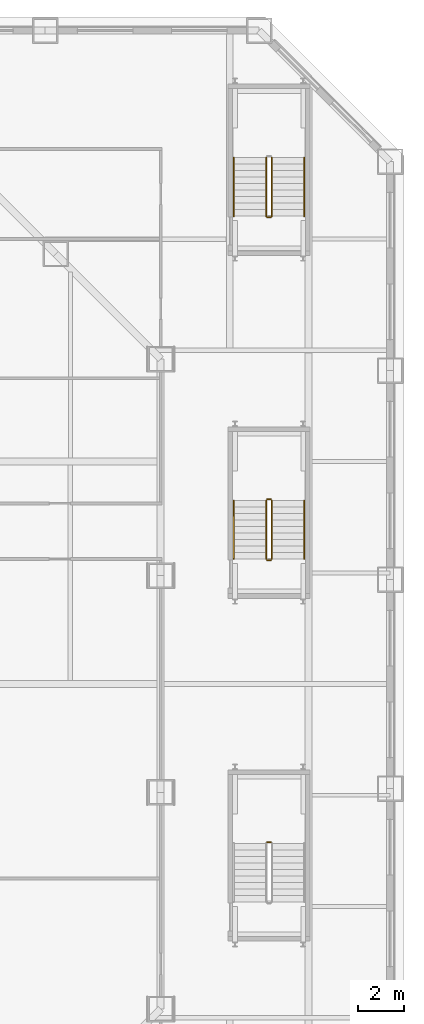
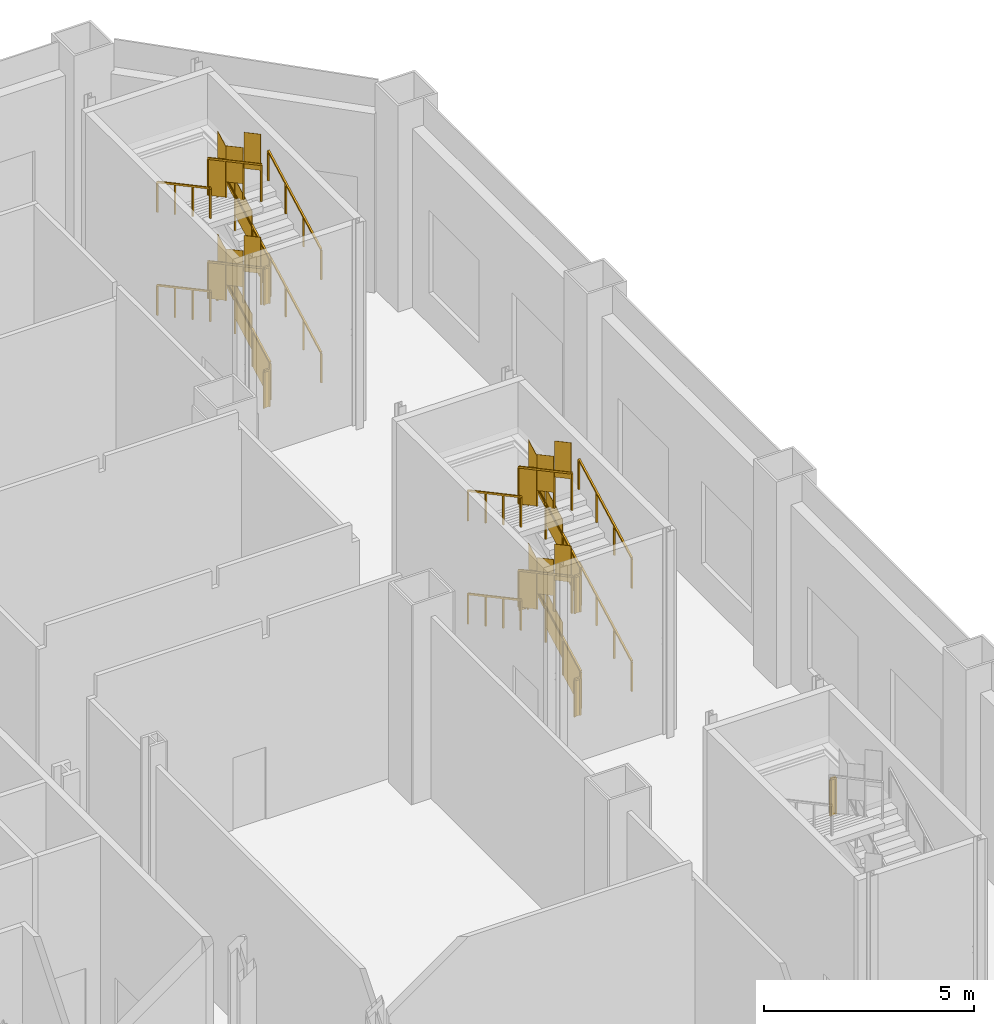
# One storey, part 30 of 31: 23 railings.
"""IFC4 building model written with IfcOpenShell, lengths in metres."""

from ifc_helpers import new_model, si_unit, direction, frame, origin, origin_2d, place, context, subcontext, project, spatial, polyline, rectangle, outline, extrude, material, type_object, element, save


model = new_model("IFC4")

# Units and contexts
model_context = context("Model", 3, precision=1e-05, world=origin(), true_north=direction((0.0, 1.0)))
body_context = subcontext(model_context, "Body", "Model", "MODEL_VIEW")
ifc_project = project(units=[si_unit("LENGTHUNIT", "METRE"), si_unit("AREAUNIT", "SQUARE_METRE"), si_unit("VOLUMEUNIT", "CUBIC_METRE"), si_unit("PLANEANGLEUNIT", "RADIAN"), si_unit("MASSUNIT", "GRAM", prefix="KILO")], contexts=[model_context])

# Site, building, storey
site_placement = place(None, origin())
site = spatial("IfcSite", under=ifc_project, at=site_placement, CompositionType="ELEMENT")
building_placement = place(site_placement, origin())
building = spatial("IfcBuilding", under=site, at=building_placement, Name="Cairn Pilgrim Tower", CompositionType="ELEMENT")
storey_placement = place(building_placement, frame((0.0, 0.0, 9.0)))
storey = spatial("IfcBuildingStorey", under=building, at=storey_placement, Name="L01", CompositionType="ELEMENT", Elevation=9.0)

# Railings
ifc_material = material(Name="Painted steel", Category="steel")
railing_type_1 = type_object("IfcRailingType", Name="PODIUM STAIR GUARD 1100", PredefinedType="GUARDRAIL", material=ifc_material)
railing_1_placement = place(storey_placement, frame((32.64990234375, -6.830078125, 4.5)))
element("IfcRailing", 1, at=railing_1_placement, inside=storey, type_object=railing_type_1, Name="L01 ST-ES2 stair guard 6", PredefinedType="GUARDRAIL", context=body_context, shape_type="SweptSolid", body=[
    extrude(rectangle(XDim=0.048095703125, YDim=0.048095703125, at=origin_2d()), frame((0.0, 0.0, 1.076171875), z_axis=(-1.0, 0.0, 0.0), x_axis=(0.0, -1.0, 0.0)), (0.0, 0.0, 1.0), 0.14990234375),
    extrude(rectangle(XDim=0.0419921875, YDim=0.0419921875, at=origin_2d()), origin(), (0.0, 0.0, 1.0), 1.052001953125),
    extrude(rectangle(XDim=0.0419921875, YDim=0.0419921875, at=origin_2d()), frame((-0.14990234375, 0.0, 0.0)), (0.0, 0.0, 1.0), 1.052001953125),
    extrude(outline(polyline([(0.02099609375, 0.0), (0.12890625, 0.0), (0.12890625, 1.052001953125), (0.02099609375, 1.052001953125), (0.02099609375, 0.0)])), frame((0.0, -0.005859375, 0.0), z_axis=(0.0, 1.0, 0.0), x_axis=(-1.0, 0.0, 0.0)), (0.0, 0.0, 1.0), 0.011962890625),
])
railing_2_placement = place(storey_placement, frame((32.699951171875, 5.39990234375, 0.14990234375)))
element("IfcRailing", 2, at=railing_2_placement, inside=storey, type_object=railing_type_1, Name="L01 ST-ES3 stair guard 1", PredefinedType="GUARDRAIL", context=body_context, shape_type="SweptSolid", body=[
    extrude(rectangle(XDim=0.048095703125, YDim=0.048095703125, at=origin_2d()), frame((0.0, 0.0, 1.076171875), z_axis=(0.0, 0.881467274426, 0.472245110209), x_axis=(-1.0, 0.0, 0.0)), (0.0, 0.0, 1.0), 2.85888671875),
    extrude(rectangle(XDim=0.0419921875, YDim=0.0419921875, at=origin_2d()), origin(), (0.0, 0.0, 1.0), 1.052001953125),
    extrude(rectangle(XDim=0.0419921875, YDim=0.0419921875, at=origin_2d()), frame((0.0, 0.840087890625, 0.449951171875)), (0.0, 0.0, 1.0), 1.052001953125),
    extrude(rectangle(XDim=0.0419921875, YDim=0.0419921875, at=origin_2d()), frame((0.0, 1.679931640625, 0.900146484375)), (0.0, 0.0, 1.0), 1.052001953125),
    extrude(rectangle(XDim=0.0419921875, YDim=0.0419921875, at=origin_2d()), frame((0.0, 2.52001953125, 1.35009765625)), (0.0, 0.0, 1.0), 1.052001953125),
    extrude(outline(polyline([(0.02099609375, 0.01123046875), (0.819091796875, 0.438720703125), (0.819091796875, 1.49072265625), (0.02099609375, 1.063232421875), (0.02099609375, 0.01123046875)])), frame((-0.005859375, 0.0, 0.0), z_axis=(1.0, 0.0, 0.0), x_axis=(0.0, 1.0, 0.0)), (0.0, 0.0, 1.0), 0.011962890625),
    extrude(outline(polyline([(0.02099609375, 0.461181640625), (0.819091796875, 0.888916015625), (0.819091796875, 1.94091796875), (0.02099609375, 1.51318359375), (0.02099609375, 0.461181640625)])), frame((-0.005859375, 0.840087890625, 0.449951171875), z_axis=(1.0, 0.0, 0.0), x_axis=(0.0, 1.0, 0.0)), (0.0, 0.0, 1.0), 0.011962890625),
    extrude(outline(polyline([(0.02099609375, 0.911376953125), (0.819091796875, 1.3388671875), (0.819091796875, 2.390869140625), (0.02099609375, 1.96337890625), (0.02099609375, 0.911376953125)])), frame((-0.005859375, 1.679931640625, 0.900146484375), z_axis=(1.0, 0.0, 0.0), x_axis=(0.0, 1.0, 0.0)), (0.0, 0.0, 1.0), 0.011962890625),
])
railing_3_placement = place(storey_placement, frame((32.64990234375, 7.969970703125, 1.5)))
element("IfcRailing", 3, at=railing_3_placement, inside=storey, type_object=railing_type_1, Name="L01 ST-ES3 stair guard 2", PredefinedType="GUARDRAIL", context=body_context, shape_type="SweptSolid", body=[
    extrude(rectangle(XDim=0.048095703125, YDim=0.048095703125, at=origin_2d()), frame((0.0, 0.0, 1.076171875), z_axis=(-1.0, 0.0, 0.0), x_axis=(0.0, -1.0, 0.0)), (0.0, 0.0, 1.0), 0.14990234375),
    extrude(rectangle(XDim=0.0419921875, YDim=0.0419921875, at=origin_2d()), origin(), (0.0, 0.0, 1.0), 1.052001953125),
    extrude(rectangle(XDim=0.0419921875, YDim=0.0419921875, at=origin_2d()), frame((-0.14990234375, 0.0, 0.0)), (0.0, 0.0, 1.0), 1.052001953125),
    extrude(outline(polyline([(0.02099609375, 0.0), (0.12890625, 0.0), (0.12890625, 1.052001953125), (0.02099609375, 1.052001953125), (0.02099609375, 0.0)])), frame((0.0, -0.005859375, 0.0), z_axis=(0.0, 1.0, 0.0), x_axis=(-1.0, 0.0, 0.0)), (0.0, 0.0, 1.0), 0.011962890625),
])
railing_4_placement = place(storey_placement, frame((32.449951171875, 7.919921875, 1.64990234375)))
element("IfcRailing", 4, at=railing_4_placement, inside=storey, type_object=railing_type_1, Name="L01 ST-ES3 stair guard 3", PredefinedType="GUARDRAIL", context=body_context, shape_type="SweptSolid", body=[
    extrude(rectangle(XDim=0.048095703125, YDim=0.048095703125, at=origin_2d()), frame((0.0, 0.0, 1.076171875), z_axis=(0.0, -0.881467274426, 0.472245110209), x_axis=(1.0, 0.0, 0.0)), (0.0, 0.0, 1.0), 2.85888671875),
    extrude(rectangle(XDim=0.0419921875, YDim=0.0419921875, at=origin_2d()), origin(), (0.0, 0.0, 1.0), 1.052001953125),
    extrude(rectangle(XDim=0.0419921875, YDim=0.0419921875, at=origin_2d()), frame((0.0, -0.840087890625, 0.449951171875)), (0.0, 0.0, 1.0), 1.052001953125),
    extrude(rectangle(XDim=0.0419921875, YDim=0.0419921875, at=origin_2d()), frame((0.0, -1.679931640625, 0.900146484375)), (0.0, 0.0, 1.0), 1.052001953125),
    extrude(rectangle(XDim=0.0419921875, YDim=0.0419921875, at=origin_2d()), frame((0.0, -2.52001953125, 1.35009765625)), (0.0, 0.0, 1.0), 1.052001953125),
    extrude(outline(polyline([(0.02099609375, 0.01123046875), (0.819091796875, 0.438720703125), (0.819091796875, 1.49072265625), (0.02099609375, 1.063232421875), (0.02099609375, 0.01123046875)])), frame((0.005859375, 0.0, 0.0), z_axis=(-1.0, 0.0, 0.0), x_axis=(0.0, -1.0, 0.0)), (0.0, 0.0, 1.0), 0.011962890625),
    extrude(outline(polyline([(0.02099609375, 0.461181640625), (0.819091796875, 0.888916015625), (0.819091796875, 1.94091796875), (0.02099609375, 1.51318359375), (0.02099609375, 0.461181640625)])), frame((0.005859375, -0.840087890625, 0.449951171875), z_axis=(-1.0, 0.0, 0.0), x_axis=(0.0, -1.0, 0.0)), (0.0, 0.0, 1.0), 0.011962890625),
    extrude(outline(polyline([(0.02099609375, 0.911376953125), (0.819091796875, 1.3388671875), (0.819091796875, 2.390869140625), (0.02099609375, 1.96337890625), (0.02099609375, 0.911376953125)])), frame((0.005859375, -1.679931640625, 0.900146484375), z_axis=(-1.0, 0.0, 0.0), x_axis=(0.0, -1.0, 0.0)), (0.0, 0.0, 1.0), 0.011962890625),
])
railing_5_placement = place(storey_placement, frame((32.64990234375, 5.35009765625, 3.0)))
element("IfcRailing", 5, at=railing_5_placement, inside=storey, type_object=railing_type_1, Name="L01 ST-ES3 stair guard 4", PredefinedType="GUARDRAIL", context=body_context, shape_type="SweptSolid", body=[
    extrude(rectangle(XDim=0.048095703125, YDim=0.048095703125, at=origin_2d()), frame((0.0, 0.0, 1.076171875), z_axis=(-1.0, 0.0, 0.0), x_axis=(0.0, -1.0, 0.0)), (0.0, 0.0, 1.0), 0.14990234375),
    extrude(rectangle(XDim=0.0419921875, YDim=0.0419921875, at=origin_2d()), origin(), (0.0, 0.0, 1.0), 1.052001953125),
    extrude(rectangle(XDim=0.0419921875, YDim=0.0419921875, at=origin_2d()), frame((-0.14990234375, 0.0, 0.0)), (0.0, 0.0, 1.0), 1.052001953125),
    extrude(outline(polyline([(0.02099609375, 0.0), (0.12890625, 0.0), (0.12890625, 1.052001953125), (0.02099609375, 1.052001953125), (0.02099609375, 0.0)])), frame((0.0, -0.005859375, 0.0), z_axis=(0.0, 1.0, 0.0), x_axis=(-1.0, 0.0, 0.0)), (0.0, 0.0, 1.0), 0.011962890625),
])
railing_6_placement = place(storey_placement, frame((32.699951171875, 5.39990234375, 3.14990234375)))
element("IfcRailing", 6, at=railing_6_placement, inside=storey, type_object=railing_type_1, Name="L01 ST-ES3 stair guard 5", PredefinedType="GUARDRAIL", context=body_context, shape_type="SweptSolid", body=[
    extrude(rectangle(XDim=0.048095703125, YDim=0.048095703125, at=origin_2d()), frame((0.0, 0.0, 1.076171875), z_axis=(0.0, 0.881467274426, 0.472245110209), x_axis=(-1.0, 0.0, 0.0)), (0.0, 0.0, 1.0), 2.85888671875),
    extrude(rectangle(XDim=0.0419921875, YDim=0.0419921875, at=origin_2d()), origin(), (0.0, 0.0, 1.0), 1.052001953125),
    extrude(rectangle(XDim=0.0419921875, YDim=0.0419921875, at=origin_2d()), frame((0.0, 0.840087890625, 0.449951171875)), (0.0, 0.0, 1.0), 1.052001953125),
    extrude(rectangle(XDim=0.0419921875, YDim=0.0419921875, at=origin_2d()), frame((0.0, 1.679931640625, 0.900146484375)), (0.0, 0.0, 1.0), 1.052001953125),
    extrude(rectangle(XDim=0.0419921875, YDim=0.0419921875, at=origin_2d()), frame((0.0, 2.52001953125, 1.35009765625)), (0.0, 0.0, 1.0), 1.052001953125),
    extrude(outline(polyline([(0.02099609375, 0.01123046875), (0.819091796875, 0.438720703125), (0.819091796875, 1.49072265625), (0.02099609375, 1.063232421875), (0.02099609375, 0.01123046875)])), frame((-0.005859375, 0.0, 0.0), z_axis=(1.0, 0.0, 0.0), x_axis=(0.0, 1.0, 0.0)), (0.0, 0.0, 1.0), 0.011962890625),
    extrude(outline(polyline([(0.02099609375, 0.461181640625), (0.819091796875, 0.888916015625), (0.819091796875, 1.94091796875), (0.02099609375, 1.51318359375), (0.02099609375, 0.461181640625)])), frame((-0.005859375, 0.840087890625, 0.449951171875), z_axis=(1.0, 0.0, 0.0), x_axis=(0.0, 1.0, 0.0)), (0.0, 0.0, 1.0), 0.011962890625),
    extrude(outline(polyline([(0.02099609375, 0.911376953125), (0.819091796875, 1.3388671875), (0.819091796875, 2.390869140625), (0.02099609375, 1.96337890625), (0.02099609375, 0.911376953125)])), frame((-0.005859375, 1.679931640625, 0.900146484375), z_axis=(1.0, 0.0, 0.0), x_axis=(0.0, 1.0, 0.0)), (0.0, 0.0, 1.0), 0.011962890625),
])
railing_7_placement = place(storey_placement, frame((32.64990234375, 7.969970703125, 4.5)))
element("IfcRailing", 7, at=railing_7_placement, inside=storey, type_object=railing_type_1, Name="L01 ST-ES3 stair guard 6", PredefinedType="GUARDRAIL", context=body_context, shape_type="SweptSolid", body=[
    extrude(rectangle(XDim=0.048095703125, YDim=0.048095703125, at=origin_2d()), frame((0.0, 0.0, 1.076171875), z_axis=(-1.0, 0.0, 0.0), x_axis=(0.0, -1.0, 0.0)), (0.0, 0.0, 1.0), 0.14990234375),
    extrude(rectangle(XDim=0.0419921875, YDim=0.0419921875, at=origin_2d()), origin(), (0.0, 0.0, 1.0), 1.052001953125),
    extrude(rectangle(XDim=0.0419921875, YDim=0.0419921875, at=origin_2d()), frame((-0.14990234375, 0.0, 0.0)), (0.0, 0.0, 1.0), 1.052001953125),
    extrude(outline(polyline([(0.02099609375, 0.0), (0.12890625, 0.0), (0.12890625, 1.052001953125), (0.02099609375, 1.052001953125), (0.02099609375, 0.0)])), frame((0.0, -0.005859375, 0.0), z_axis=(0.0, 1.0, 0.0), x_axis=(-1.0, 0.0, 0.0)), (0.0, 0.0, 1.0), 0.011962890625),
])
railing_8_placement = place(storey_placement, frame((32.449951171875, 7.919921875, 4.64990234375)))
element("IfcRailing", 8, at=railing_8_placement, inside=storey, type_object=railing_type_1, Name="L01 ST-ES3 stair guard 7", PredefinedType="GUARDRAIL", context=body_context, shape_type="SweptSolid", body=[
    extrude(rectangle(XDim=0.048095703125, YDim=0.048095703125, at=origin_2d()), frame((0.0, 0.0, 1.076171875), z_axis=(0.0, -0.881467274426, 0.472245110209), x_axis=(1.0, 0.0, 0.0)), (0.0, 0.0, 1.0), 2.85888671875),
    extrude(rectangle(XDim=0.0419921875, YDim=0.0419921875, at=origin_2d()), origin(), (0.0, 0.0, 1.0), 1.052001953125),
    extrude(rectangle(XDim=0.0419921875, YDim=0.0419921875, at=origin_2d()), frame((0.0, -0.840087890625, 0.449951171875)), (0.0, 0.0, 1.0), 1.052001953125),
    extrude(rectangle(XDim=0.0419921875, YDim=0.0419921875, at=origin_2d()), frame((0.0, -1.679931640625, 0.900146484375)), (0.0, 0.0, 1.0), 1.052001953125),
    extrude(rectangle(XDim=0.0419921875, YDim=0.0419921875, at=origin_2d()), frame((0.0, -2.52001953125, 1.35009765625)), (0.0, 0.0, 1.0), 1.052001953125),
    extrude(outline(polyline([(0.02099609375, 0.01123046875), (0.819091796875, 0.438720703125), (0.819091796875, 1.49072265625), (0.02099609375, 1.063232421875), (0.02099609375, 0.01123046875)])), frame((0.005859375, 0.0, 0.0), z_axis=(-1.0, 0.0, 0.0), x_axis=(0.0, -1.0, 0.0)), (0.0, 0.0, 1.0), 0.011962890625),
    extrude(outline(polyline([(0.02099609375, 0.461181640625), (0.819091796875, 0.888916015625), (0.819091796875, 1.94091796875), (0.02099609375, 1.51318359375), (0.02099609375, 0.461181640625)])), frame((0.005859375, -0.840087890625, 0.449951171875), z_axis=(-1.0, 0.0, 0.0), x_axis=(0.0, -1.0, 0.0)), (0.0, 0.0, 1.0), 0.011962890625),
    extrude(outline(polyline([(0.02099609375, 0.911376953125), (0.819091796875, 1.3388671875), (0.819091796875, 2.390869140625), (0.02099609375, 1.96337890625), (0.02099609375, 0.911376953125)])), frame((0.005859375, -1.679931640625, 0.900146484375), z_axis=(-1.0, 0.0, 0.0), x_axis=(0.0, -1.0, 0.0)), (0.0, 0.0, 1.0), 0.011962890625),
])
railing_9_placement = place(storey_placement, frame((32.64990234375, 5.35009765625, 0.0)))
element("IfcRailing", 9, at=railing_9_placement, inside=storey, type_object=railing_type_1, Name="L01 ST-ES3 stair guard 8", PredefinedType="GUARDRAIL", context=body_context, shape_type="SweptSolid", body=[
    extrude(rectangle(XDim=0.048095703125, YDim=0.048095703125, at=origin_2d()), frame((0.0, 0.0, 1.076171875), z_axis=(-1.0, 0.0, 0.0), x_axis=(0.0, -1.0, 0.0)), (0.0, 0.0, 1.0), 0.14990234375),
    extrude(rectangle(XDim=0.0419921875, YDim=0.0419921875, at=origin_2d()), origin(), (0.0, 0.0, 1.0), 1.052001953125),
    extrude(rectangle(XDim=0.0419921875, YDim=0.0419921875, at=origin_2d()), frame((-0.14990234375, 0.0, 0.0)), (0.0, 0.0, 1.0), 1.052001953125),
    extrude(outline(polyline([(0.02099609375, 0.0), (0.12890625, 0.0), (0.12890625, 1.052001953125), (0.02099609375, 1.052001953125), (0.02099609375, 0.0)])), frame((0.0, -0.005859375, 0.0), z_axis=(0.0, 1.0, 0.0), x_axis=(-1.0, 0.0, 0.0)), (0.0, 0.0, 1.0), 0.011962890625),
])
railing_10_placement = place(storey_placement, frame((32.699951171875, 20.199951171875, 0.14990234375)))
element("IfcRailing", 10, at=railing_10_placement, inside=storey, type_object=railing_type_1, Name="L01 ST-ES4 stair guard 1", PredefinedType="GUARDRAIL", context=body_context, shape_type="SweptSolid", body=[
    extrude(rectangle(XDim=0.048095703125, YDim=0.048095703125, at=origin_2d()), frame((0.0, 0.0, 1.076171875), z_axis=(0.0, 0.881467274426, 0.472245110209), x_axis=(-1.0, 0.0, 0.0)), (0.0, 0.0, 1.0), 2.85888671875),
    extrude(rectangle(XDim=0.0419921875, YDim=0.0419921875, at=origin_2d()), origin(), (0.0, 0.0, 1.0), 1.052001953125),
    extrude(rectangle(XDim=0.0419921875, YDim=0.0419921875, at=origin_2d()), frame((0.0, 0.840087890625, 0.449951171875)), (0.0, 0.0, 1.0), 1.052001953125),
    extrude(rectangle(XDim=0.0419921875, YDim=0.0419921875, at=origin_2d()), frame((0.0, 1.679931640625, 0.900146484375)), (0.0, 0.0, 1.0), 1.052001953125),
    extrude(rectangle(XDim=0.0419921875, YDim=0.0419921875, at=origin_2d()), frame((0.0, 2.52001953125, 1.35009765625)), (0.0, 0.0, 1.0), 1.052001953125),
    extrude(outline(polyline([(0.02099609375, 0.01123046875), (0.819091796875, 0.438720703125), (0.819091796875, 1.49072265625), (0.02099609375, 1.063232421875), (0.02099609375, 0.01123046875)])), frame((-0.005859375, 0.0, 0.0), z_axis=(1.0, 0.0, 0.0), x_axis=(0.0, 1.0, 0.0)), (0.0, 0.0, 1.0), 0.011962890625),
    extrude(outline(polyline([(0.02099609375, 0.461181640625), (0.819091796875, 0.888916015625), (0.819091796875, 1.94091796875), (0.02099609375, 1.51318359375), (0.02099609375, 0.461181640625)])), frame((-0.005859375, 0.840087890625, 0.449951171875), z_axis=(1.0, 0.0, 0.0), x_axis=(0.0, 1.0, 0.0)), (0.0, 0.0, 1.0), 0.011962890625),
    extrude(outline(polyline([(0.02099609375, 0.911376953125), (0.819091796875, 1.3388671875), (0.819091796875, 2.390869140625), (0.02099609375, 1.96337890625), (0.02099609375, 0.911376953125)])), frame((-0.005859375, 1.679931640625, 0.900146484375), z_axis=(1.0, 0.0, 0.0), x_axis=(0.0, 1.0, 0.0)), (0.0, 0.0, 1.0), 0.011962890625),
])
railing_11_placement = place(storey_placement, frame((32.449951171875, 22.719970703125, 1.64990234375)))
element("IfcRailing", 11, at=railing_11_placement, inside=storey, type_object=railing_type_1, Name="L01 ST-ES4 stair guard 3", PredefinedType="GUARDRAIL", context=body_context, shape_type="SweptSolid", body=[
    extrude(rectangle(XDim=0.048095703125, YDim=0.048095703125, at=origin_2d()), frame((0.0, 0.0, 1.076171875), z_axis=(0.0, -0.881467274426, 0.472245110209), x_axis=(1.0, 0.0, 0.0)), (0.0, 0.0, 1.0), 2.85888671875),
    extrude(rectangle(XDim=0.0419921875, YDim=0.0419921875, at=origin_2d()), origin(), (0.0, 0.0, 1.0), 1.052001953125),
    extrude(rectangle(XDim=0.0419921875, YDim=0.0419921875, at=origin_2d()), frame((0.0, -0.840087890625, 0.449951171875)), (0.0, 0.0, 1.0), 1.052001953125),
    extrude(rectangle(XDim=0.0419921875, YDim=0.0419921875, at=origin_2d()), frame((0.0, -1.679931640625, 0.900146484375)), (0.0, 0.0, 1.0), 1.052001953125),
    extrude(rectangle(XDim=0.0419921875, YDim=0.0419921875, at=origin_2d()), frame((0.0, -2.52001953125, 1.35009765625)), (0.0, 0.0, 1.0), 1.052001953125),
    extrude(outline(polyline([(0.02099609375, 0.01123046875), (0.819091796875, 0.438720703125), (0.819091796875, 1.49072265625), (0.02099609375, 1.063232421875), (0.02099609375, 0.01123046875)])), frame((0.005859375, 0.0, 0.0), z_axis=(-1.0, 0.0, 0.0), x_axis=(0.0, -1.0, 0.0)), (0.0, 0.0, 1.0), 0.011962890625),
    extrude(outline(polyline([(0.02099609375, 0.461181640625), (0.819091796875, 0.888916015625), (0.819091796875, 1.94091796875), (0.02099609375, 1.51318359375), (0.02099609375, 0.461181640625)])), frame((0.005859375, -0.840087890625, 0.449951171875), z_axis=(-1.0, 0.0, 0.0), x_axis=(0.0, -1.0, 0.0)), (0.0, 0.0, 1.0), 0.011962890625),
    extrude(outline(polyline([(0.02099609375, 0.911376953125), (0.819091796875, 1.3388671875), (0.819091796875, 2.390869140625), (0.02099609375, 1.96337890625), (0.02099609375, 0.911376953125)])), frame((0.005859375, -1.679931640625, 0.900146484375), z_axis=(-1.0, 0.0, 0.0), x_axis=(0.0, -1.0, 0.0)), (0.0, 0.0, 1.0), 0.011962890625),
])
railing_12_placement = place(storey_placement, frame((32.64990234375, 20.14990234375, 3.0)))
element("IfcRailing", 12, at=railing_12_placement, inside=storey, type_object=railing_type_1, Name="L01 ST-ES4 stair guard 4", PredefinedType="GUARDRAIL", context=body_context, shape_type="SweptSolid", body=[
    extrude(rectangle(XDim=0.048095703125, YDim=0.048095703125, at=origin_2d()), frame((0.0, 0.0, 1.076171875), z_axis=(-1.0, 0.0, 0.0), x_axis=(0.0, -1.0, 0.0)), (0.0, 0.0, 1.0), 0.14990234375),
    extrude(rectangle(XDim=0.0419921875, YDim=0.0419921875, at=origin_2d()), origin(), (0.0, 0.0, 1.0), 1.052001953125),
    extrude(rectangle(XDim=0.0419921875, YDim=0.0419921875, at=origin_2d()), frame((-0.14990234375, 0.0, 0.0)), (0.0, 0.0, 1.0), 1.052001953125),
    extrude(outline(polyline([(0.02099609375, 0.0), (0.12890625, 0.0), (0.12890625, 1.052001953125), (0.02099609375, 1.052001953125), (0.02099609375, 0.0)])), frame((0.0, -0.005859375, 0.0), z_axis=(0.0, 1.0, 0.0), x_axis=(-1.0, 0.0, 0.0)), (0.0, 0.0, 1.0), 0.011962890625),
])
railing_13_placement = place(storey_placement, frame((32.699951171875, 20.199951171875, 3.14990234375)))
element("IfcRailing", 13, at=railing_13_placement, inside=storey, type_object=railing_type_1, Name="L01 ST-ES4 stair guard 5", PredefinedType="GUARDRAIL", context=body_context, shape_type="SweptSolid", body=[
    extrude(rectangle(XDim=0.048095703125, YDim=0.048095703125, at=origin_2d()), frame((0.0, 0.0, 1.076171875), z_axis=(0.0, 0.881467274426, 0.472245110209), x_axis=(-1.0, 0.0, 0.0)), (0.0, 0.0, 1.0), 2.85888671875),
    extrude(rectangle(XDim=0.0419921875, YDim=0.0419921875, at=origin_2d()), origin(), (0.0, 0.0, 1.0), 1.052001953125),
    extrude(rectangle(XDim=0.0419921875, YDim=0.0419921875, at=origin_2d()), frame((0.0, 0.840087890625, 0.449951171875)), (0.0, 0.0, 1.0), 1.052001953125),
    extrude(rectangle(XDim=0.0419921875, YDim=0.0419921875, at=origin_2d()), frame((0.0, 1.679931640625, 0.900146484375)), (0.0, 0.0, 1.0), 1.052001953125),
    extrude(rectangle(XDim=0.0419921875, YDim=0.0419921875, at=origin_2d()), frame((0.0, 2.52001953125, 1.35009765625)), (0.0, 0.0, 1.0), 1.052001953125),
    extrude(outline(polyline([(0.02099609375, 0.01123046875), (0.819091796875, 0.438720703125), (0.819091796875, 1.49072265625), (0.02099609375, 1.063232421875), (0.02099609375, 0.01123046875)])), frame((-0.005859375, 0.0, 0.0), z_axis=(1.0, 0.0, 0.0), x_axis=(0.0, 1.0, 0.0)), (0.0, 0.0, 1.0), 0.011962890625),
    extrude(outline(polyline([(0.02099609375, 0.461181640625), (0.819091796875, 0.888916015625), (0.819091796875, 1.94091796875), (0.02099609375, 1.51318359375), (0.02099609375, 0.461181640625)])), frame((-0.005859375, 0.840087890625, 0.449951171875), z_axis=(1.0, 0.0, 0.0), x_axis=(0.0, 1.0, 0.0)), (0.0, 0.0, 1.0), 0.011962890625),
    extrude(outline(polyline([(0.02099609375, 0.911376953125), (0.819091796875, 1.3388671875), (0.819091796875, 2.390869140625), (0.02099609375, 1.96337890625), (0.02099609375, 0.911376953125)])), frame((-0.005859375, 1.679931640625, 0.900146484375), z_axis=(1.0, 0.0, 0.0), x_axis=(0.0, 1.0, 0.0)), (0.0, 0.0, 1.0), 0.011962890625),
])
railing_14_placement = place(storey_placement, frame((32.449951171875, 22.719970703125, 4.64990234375)))
element("IfcRailing", 14, at=railing_14_placement, inside=storey, type_object=railing_type_1, Name="L01 ST-ES4 stair guard 7", PredefinedType="GUARDRAIL", context=body_context, shape_type="SweptSolid", body=[
    extrude(rectangle(XDim=0.048095703125, YDim=0.048095703125, at=origin_2d()), frame((0.0, 0.0, 1.076171875), z_axis=(0.0, -0.881467274426, 0.472245110209), x_axis=(1.0, 0.0, 0.0)), (0.0, 0.0, 1.0), 2.85888671875),
    extrude(rectangle(XDim=0.0419921875, YDim=0.0419921875, at=origin_2d()), origin(), (0.0, 0.0, 1.0), 1.052001953125),
    extrude(rectangle(XDim=0.0419921875, YDim=0.0419921875, at=origin_2d()), frame((0.0, -0.840087890625, 0.449951171875)), (0.0, 0.0, 1.0), 1.052001953125),
    extrude(rectangle(XDim=0.0419921875, YDim=0.0419921875, at=origin_2d()), frame((0.0, -1.679931640625, 0.900146484375)), (0.0, 0.0, 1.0), 1.052001953125),
    extrude(rectangle(XDim=0.0419921875, YDim=0.0419921875, at=origin_2d()), frame((0.0, -2.52001953125, 1.35009765625)), (0.0, 0.0, 1.0), 1.052001953125),
    extrude(outline(polyline([(0.02099609375, 0.01123046875), (0.819091796875, 0.438720703125), (0.819091796875, 1.49072265625), (0.02099609375, 1.063232421875), (0.02099609375, 0.01123046875)])), frame((0.005859375, 0.0, 0.0), z_axis=(-1.0, 0.0, 0.0), x_axis=(0.0, -1.0, 0.0)), (0.0, 0.0, 1.0), 0.011962890625),
    extrude(outline(polyline([(0.02099609375, 0.461181640625), (0.819091796875, 0.888916015625), (0.819091796875, 1.94091796875), (0.02099609375, 1.51318359375), (0.02099609375, 0.461181640625)])), frame((0.005859375, -0.840087890625, 0.449951171875), z_axis=(-1.0, 0.0, 0.0), x_axis=(0.0, -1.0, 0.0)), (0.0, 0.0, 1.0), 0.011962890625),
    extrude(outline(polyline([(0.02099609375, 0.911376953125), (0.819091796875, 1.3388671875), (0.819091796875, 2.390869140625), (0.02099609375, 1.96337890625), (0.02099609375, 0.911376953125)])), frame((0.005859375, -1.679931640625, 0.900146484375), z_axis=(-1.0, 0.0, 0.0), x_axis=(0.0, -1.0, 0.0)), (0.0, 0.0, 1.0), 0.011962890625),
])
railing_15_placement = place(storey_placement, frame((32.64990234375, 20.14990234375, 0.0)))
element("IfcRailing", 15, at=railing_15_placement, inside=storey, type_object=railing_type_1, Name="L01 ST-ES4 stair guard 8", PredefinedType="GUARDRAIL", context=body_context, shape_type="SweptSolid", body=[
    extrude(rectangle(XDim=0.048095703125, YDim=0.048095703125, at=origin_2d()), frame((0.0, 0.0, 1.076171875), z_axis=(-1.0, 0.0, 0.0), x_axis=(0.0, -1.0, 0.0)), (0.0, 0.0, 1.0), 0.14990234375),
    extrude(rectangle(XDim=0.0419921875, YDim=0.0419921875, at=origin_2d()), origin(), (0.0, 0.0, 1.0), 1.052001953125),
    extrude(rectangle(XDim=0.0419921875, YDim=0.0419921875, at=origin_2d()), frame((-0.14990234375, 0.0, 0.0)), (0.0, 0.0, 1.0), 1.052001953125),
    extrude(outline(polyline([(0.02099609375, 0.0), (0.12890625, 0.0), (0.12890625, 1.052001953125), (0.02099609375, 1.052001953125), (0.02099609375, 0.0)])), frame((0.0, -0.005859375, 0.0), z_axis=(0.0, 1.0, 0.0), x_axis=(-1.0, 0.0, 0.0)), (0.0, 0.0, 1.0), 0.011962890625),
])
railing_type_2 = type_object("IfcRailingType", Name="PODIUM STAIR HANDRAIL 900", PredefinedType="HANDRAIL", material=ifc_material)
railing_16_placement = place(storey_placement, frame((34.10009765625, 5.39990234375, 0.14990234375)))
element("IfcRailing", 16, at=railing_16_placement, inside=storey, type_object=railing_type_2, Name="L01 ST-ES3 stair handrail 1", PredefinedType="HANDRAIL", context=body_context, shape_type="SweptSolid", body=[
    extrude(rectangle(XDim=0.048095703125, YDim=0.048095703125, at=origin_2d()), frame((0.0, 0.0, 0.8759765625), z_axis=(0.0, 0.881467274426, 0.472245110209), x_axis=(-1.0, 0.0, 0.0)), (0.0, 0.0, 1.0), 2.85888671875),
    extrude(rectangle(XDim=0.0419921875, YDim=0.0419921875, at=origin_2d()), origin(), (0.0, 0.0, 1.0), 0.851806640625),
    extrude(rectangle(XDim=0.0419921875, YDim=0.0419921875, at=origin_2d()), frame((0.0, 0.840087890625, 0.449951171875)), (0.0, 0.0, 1.0), 0.851806640625),
    extrude(rectangle(XDim=0.0419921875, YDim=0.0419921875, at=origin_2d()), frame((0.0, 1.679931640625, 0.900146484375)), (0.0, 0.0, 1.0), 0.851806640625),
    extrude(rectangle(XDim=0.0419921875, YDim=0.0419921875, at=origin_2d()), frame((0.0, 2.52001953125, 1.35009765625)), (0.0, 0.0, 1.0), 0.851806640625),
])
railing_17_placement = place(storey_placement, frame((31.050048828125, 7.919921875, 1.64990234375)))
element("IfcRailing", 17, at=railing_17_placement, inside=storey, type_object=railing_type_2, Name="L01 ST-ES3 stair handrail 2", PredefinedType="HANDRAIL", context=body_context, shape_type="SweptSolid", body=[
    extrude(rectangle(XDim=0.048095703125, YDim=0.048095703125, at=origin_2d()), frame((0.0, 0.0, 0.8759765625), z_axis=(0.0, -0.881467274426, 0.472245110209), x_axis=(1.0, 0.0, 0.0)), (0.0, 0.0, 1.0), 2.85888671875),
    extrude(rectangle(XDim=0.0419921875, YDim=0.0419921875, at=origin_2d()), origin(), (0.0, 0.0, 1.0), 0.851806640625),
    extrude(rectangle(XDim=0.0419921875, YDim=0.0419921875, at=origin_2d()), frame((0.0, -0.840087890625, 0.449951171875)), (0.0, 0.0, 1.0), 0.851806640625),
    extrude(rectangle(XDim=0.0419921875, YDim=0.0419921875, at=origin_2d()), frame((0.0, -1.679931640625, 0.900146484375)), (0.0, 0.0, 1.0), 0.851806640625),
    extrude(rectangle(XDim=0.0419921875, YDim=0.0419921875, at=origin_2d()), frame((0.0, -2.52001953125, 1.35009765625)), (0.0, 0.0, 1.0), 0.851806640625),
])
railing_18_placement = place(storey_placement, frame((34.10009765625, 5.39990234375, 3.14990234375)))
element("IfcRailing", 18, at=railing_18_placement, inside=storey, type_object=railing_type_2, Name="L01 ST-ES3 stair handrail 3", PredefinedType="HANDRAIL", context=body_context, shape_type="SweptSolid", body=[
    extrude(rectangle(XDim=0.048095703125, YDim=0.048095703125, at=origin_2d()), frame((0.0, 0.0, 0.8759765625), z_axis=(0.0, 0.881467274426, 0.472245110209), x_axis=(-1.0, 0.0, 0.0)), (0.0, 0.0, 1.0), 2.85888671875),
    extrude(rectangle(XDim=0.0419921875, YDim=0.0419921875, at=origin_2d()), origin(), (0.0, 0.0, 1.0), 0.851806640625),
    extrude(rectangle(XDim=0.0419921875, YDim=0.0419921875, at=origin_2d()), frame((0.0, 0.840087890625, 0.449951171875)), (0.0, 0.0, 1.0), 0.851806640625),
    extrude(rectangle(XDim=0.0419921875, YDim=0.0419921875, at=origin_2d()), frame((0.0, 1.679931640625, 0.900146484375)), (0.0, 0.0, 1.0), 0.851806640625),
    extrude(rectangle(XDim=0.0419921875, YDim=0.0419921875, at=origin_2d()), frame((0.0, 2.52001953125, 1.35009765625)), (0.0, 0.0, 1.0), 0.851806640625),
])
railing_19_placement = place(storey_placement, frame((31.050048828125, 7.919921875, 4.64990234375)))
element("IfcRailing", 19, at=railing_19_placement, inside=storey, type_object=railing_type_2, Name="L01 ST-ES3 stair handrail 4", PredefinedType="HANDRAIL", context=body_context, shape_type="SweptSolid", body=[
    extrude(rectangle(XDim=0.048095703125, YDim=0.048095703125, at=origin_2d()), frame((0.0, 0.0, 0.8759765625), z_axis=(0.0, -0.881467274426, 0.472245110209), x_axis=(1.0, 0.0, 0.0)), (0.0, 0.0, 1.0), 2.85888671875),
    extrude(rectangle(XDim=0.0419921875, YDim=0.0419921875, at=origin_2d()), origin(), (0.0, 0.0, 1.0), 0.851806640625),
    extrude(rectangle(XDim=0.0419921875, YDim=0.0419921875, at=origin_2d()), frame((0.0, -0.840087890625, 0.449951171875)), (0.0, 0.0, 1.0), 0.851806640625),
    extrude(rectangle(XDim=0.0419921875, YDim=0.0419921875, at=origin_2d()), frame((0.0, -1.679931640625, 0.900146484375)), (0.0, 0.0, 1.0), 0.851806640625),
    extrude(rectangle(XDim=0.0419921875, YDim=0.0419921875, at=origin_2d()), frame((0.0, -2.52001953125, 1.35009765625)), (0.0, 0.0, 1.0), 0.851806640625),
])
railing_20_placement = place(storey_placement, frame((34.10009765625, 20.199951171875, 0.14990234375)))
element("IfcRailing", 20, at=railing_20_placement, inside=storey, type_object=railing_type_2, Name="L01 ST-ES4 stair handrail 1", PredefinedType="HANDRAIL", context=body_context, shape_type="SweptSolid", body=[
    extrude(rectangle(XDim=0.048095703125, YDim=0.048095703125, at=origin_2d()), frame((0.0, 0.0, 0.8759765625), z_axis=(0.0, 0.881467274426, 0.472245110209), x_axis=(-1.0, 0.0, 0.0)), (0.0, 0.0, 1.0), 2.85888671875),
    extrude(rectangle(XDim=0.0419921875, YDim=0.0419921875, at=origin_2d()), origin(), (0.0, 0.0, 1.0), 0.851806640625),
    extrude(rectangle(XDim=0.0419921875, YDim=0.0419921875, at=origin_2d()), frame((0.0, 0.840087890625, 0.449951171875)), (0.0, 0.0, 1.0), 0.851806640625),
    extrude(rectangle(XDim=0.0419921875, YDim=0.0419921875, at=origin_2d()), frame((0.0, 1.679931640625, 0.900146484375)), (0.0, 0.0, 1.0), 0.851806640625),
    extrude(rectangle(XDim=0.0419921875, YDim=0.0419921875, at=origin_2d()), frame((0.0, 2.52001953125, 1.35009765625)), (0.0, 0.0, 1.0), 0.851806640625),
])
railing_21_placement = place(storey_placement, frame((31.050048828125, 22.719970703125, 1.64990234375)))
element("IfcRailing", 21, at=railing_21_placement, inside=storey, type_object=railing_type_2, Name="L01 ST-ES4 stair handrail 2", PredefinedType="HANDRAIL", context=body_context, shape_type="SweptSolid", body=[
    extrude(rectangle(XDim=0.048095703125, YDim=0.048095703125, at=origin_2d()), frame((0.0, 0.0, 0.8759765625), z_axis=(0.0, -0.881467274426, 0.472245110209), x_axis=(1.0, 0.0, 0.0)), (0.0, 0.0, 1.0), 2.85888671875),
    extrude(rectangle(XDim=0.0419921875, YDim=0.0419921875, at=origin_2d()), origin(), (0.0, 0.0, 1.0), 0.851806640625),
    extrude(rectangle(XDim=0.0419921875, YDim=0.0419921875, at=origin_2d()), frame((0.0, -0.840087890625, 0.449951171875)), (0.0, 0.0, 1.0), 0.851806640625),
    extrude(rectangle(XDim=0.0419921875, YDim=0.0419921875, at=origin_2d()), frame((0.0, -1.679931640625, 0.900146484375)), (0.0, 0.0, 1.0), 0.851806640625),
    extrude(rectangle(XDim=0.0419921875, YDim=0.0419921875, at=origin_2d()), frame((0.0, -2.52001953125, 1.35009765625)), (0.0, 0.0, 1.0), 0.851806640625),
])
railing_22_placement = place(storey_placement, frame((34.10009765625, 20.199951171875, 3.14990234375)))
element("IfcRailing", 22, at=railing_22_placement, inside=storey, type_object=railing_type_2, Name="L01 ST-ES4 stair handrail 3", PredefinedType="HANDRAIL", context=body_context, shape_type="SweptSolid", body=[
    extrude(rectangle(XDim=0.048095703125, YDim=0.048095703125, at=origin_2d()), frame((0.0, 0.0, 0.8759765625), z_axis=(0.0, 0.881467274426, 0.472245110209), x_axis=(-1.0, 0.0, 0.0)), (0.0, 0.0, 1.0), 2.85888671875),
    extrude(rectangle(XDim=0.0419921875, YDim=0.0419921875, at=origin_2d()), origin(), (0.0, 0.0, 1.0), 0.851806640625),
    extrude(rectangle(XDim=0.0419921875, YDim=0.0419921875, at=origin_2d()), frame((0.0, 0.840087890625, 0.449951171875)), (0.0, 0.0, 1.0), 0.851806640625),
    extrude(rectangle(XDim=0.0419921875, YDim=0.0419921875, at=origin_2d()), frame((0.0, 1.679931640625, 0.900146484375)), (0.0, 0.0, 1.0), 0.851806640625),
    extrude(rectangle(XDim=0.0419921875, YDim=0.0419921875, at=origin_2d()), frame((0.0, 2.52001953125, 1.35009765625)), (0.0, 0.0, 1.0), 0.851806640625),
])
railing_23_placement = place(storey_placement, frame((31.050048828125, 22.719970703125, 4.64990234375)))
element("IfcRailing", 23, at=railing_23_placement, inside=storey, type_object=railing_type_2, Name="L01 ST-ES4 stair handrail 4", PredefinedType="HANDRAIL", context=body_context, shape_type="SweptSolid", body=[
    extrude(rectangle(XDim=0.048095703125, YDim=0.048095703125, at=origin_2d()), frame((0.0, 0.0, 0.8759765625), z_axis=(0.0, -0.881467274426, 0.472245110209), x_axis=(1.0, 0.0, 0.0)), (0.0, 0.0, 1.0), 2.85888671875),
    extrude(rectangle(XDim=0.0419921875, YDim=0.0419921875, at=origin_2d()), origin(), (0.0, 0.0, 1.0), 0.851806640625),
    extrude(rectangle(XDim=0.0419921875, YDim=0.0419921875, at=origin_2d()), frame((0.0, -0.840087890625, 0.449951171875)), (0.0, 0.0, 1.0), 0.851806640625),
    extrude(rectangle(XDim=0.0419921875, YDim=0.0419921875, at=origin_2d()), frame((0.0, -1.679931640625, 0.900146484375)), (0.0, 0.0, 1.0), 0.851806640625),
    extrude(rectangle(XDim=0.0419921875, YDim=0.0419921875, at=origin_2d()), frame((0.0, -2.52001953125, 1.35009765625)), (0.0, 0.0, 1.0), 0.851806640625),
])

save(model, "model.ifc")
